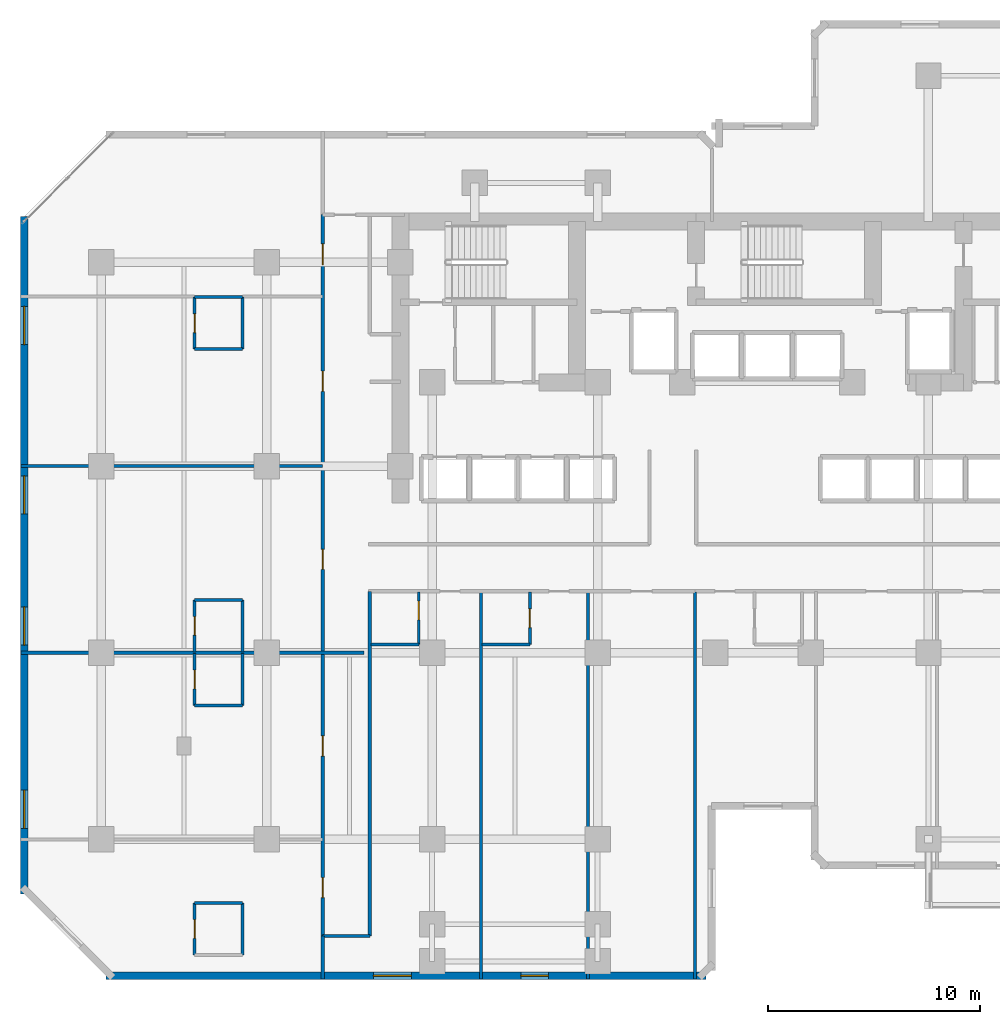
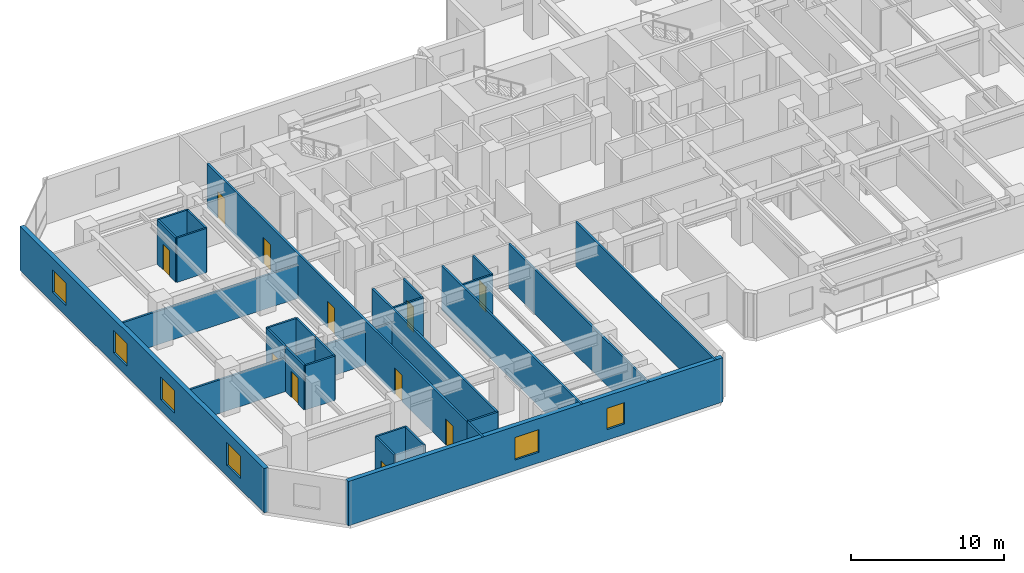
# One storey, part 5 of 12: 28 walls, 11 doors, 6 windows, 17 openings.
"""IFC4 building model written with IfcOpenShell, lengths in metres."""

from ifc_helpers import new_model, si_unit, direction, frame, frame_2d, origin, place, context, subcontext, project, spatial, rectangle, extrude, material, layer, layer_set, type_object, element, fill, save


model = new_model("IFC4")

# Units and contexts
model_context = context("Model", 3, precision=1e-05, world=origin(), true_north=direction((0.0, 1.0)))
body_context = subcontext(model_context, "Body", "Model", "MODEL_VIEW")
ifc_project = project(units=[si_unit("LENGTHUNIT", "METRE"), si_unit("AREAUNIT", "SQUARE_METRE"), si_unit("VOLUMEUNIT", "CUBIC_METRE"), si_unit("PLANEANGLEUNIT", "RADIAN"), si_unit("MASSUNIT", "GRAM", prefix="KILO")], contexts=[model_context])

# Site, building, storey
site_placement = place(None, origin())
site = spatial("IfcSite", under=ifc_project, at=site_placement, CompositionType="ELEMENT")
building_placement = place(site_placement, origin())
building = spatial("IfcBuilding", under=site, at=building_placement, Name="Kestravale Grand Hotel", CompositionType="ELEMENT")
storey_placement = place(building_placement, frame((0.0, 0.0, 122.199951171875)))
storey = spatial("IfcBuildingStorey", under=building, at=storey_placement, Name="L30", CompositionType="ELEMENT", Elevation=122.199951171875)

# Wall, openings, windows
ifc_material_1 = material(Name="Precast concrete f'c 45 MPa", Category="concrete")
ifc_layer_1 = layer(ifc_material_1, 0.340087890625)
ifc_layer_set_1 = layer_set([ifc_layer_1], Name="EW-PREC-340")
wall_type_1 = type_object("IfcWallType", Name="EW-PREC-340", PredefinedType="SOLIDWALL", material=ifc_layer_set_1)
wall_1_placement = place(storey_placement, frame((8.030029296875, 4.77001953125, 0.0), z_axis=(0.0, 0.0, 1.0), x_axis=(1.0, 0.0, 0.0)))
wall_1 = element("IfcWall", 1, at=wall_1_placement, inside=storey, type_object=wall_type_1, Name="L30 fluted precast facade wall 1", PredefinedType="SOLIDWALL", context=body_context, shape_type="SweptSolid", body=[
    extrude(rectangle(XDim=28.2900390625, YDim=0.340087890625, at=frame_2d((14.14501953125, 0.0))), origin(), (0.0, 0.0, 1.0), 3.5400390625),
])
opening_1_placement = place(wall_1_placement, frame((12.594970703125, 0.0, 0.85009765625)))
opening_1 = element("IfcOpeningElement", 2, at=opening_1_placement, cuts=wall_1, Name="Opening W-GUEST-1800", PredefinedType="OPENING", context=body_context, shape_type="SweptSolid", body=[
    extrude(rectangle(XDim=1.800048828125, YDim=1.800048828125, at=frame_2d((0.89990234375, 0.89990234375))), frame((0.0, 0.179931640625, 0.0), z_axis=(0.0, -1.0, 0.0), x_axis=(1.0, 0.0, 0.0)), (0.0, 0.0, 1.0), 0.360107421875),
])
opening_2_placement = place(wall_1_placement, frame((19.554931640625, 0.0, 0.85009765625)))
opening_2 = element("IfcOpeningElement", 3, at=opening_2_placement, cuts=wall_1, Name="Opening W-GUEST-1300", PredefinedType="OPENING", context=body_context, shape_type="SweptSolid", body=[
    extrude(rectangle(XDim=1.300048828125, YDim=1.699951171875, at=frame_2d((0.64990234375, 0.85009765625))), frame((0.0, 0.179931640625, 0.0), z_axis=(0.0, -1.0, 0.0), x_axis=(1.0, 0.0, 0.0)), (0.0, 0.0, 1.0), 0.360107421875),
])
ifc_material_2 = material(Name="Insulated low-E double glazing in aluminium frame", Category="aluminium")
window_type_1 = type_object("IfcWindowType", Name="W-GUEST-1300", PartitioningType="SINGLE_PANEL", PredefinedType="WINDOW", material=ifc_material_2)
window_1_placement = place(opening_2_placement, origin())
window_1 = element("IfcWindow", 4, at=window_1_placement, inside=storey, type_object=window_type_1, Name="L30 guestroom envelope window 1", OverallHeight=1.699951171875, OverallWidth=1.300048828125, PartitioningType="SINGLE_PANEL", PredefinedType="WINDOW", context=body_context, shape_type="SweptSolid", body=[
    extrude(rectangle(XDim=1.300048828125, YDim=1.699951171875, at=frame_2d((0.64990234375, 0.85009765625))), frame((0.0, 0.030029296875, 0.0), z_axis=(0.0, -1.0, 0.0), x_axis=(1.0, 0.0, 0.0)), (0.0, 0.0, 1.0), 0.06005859375),
])
fill(opening_2, window_1)
ifc_material_3 = material(Name="Insulated low-E double glazing in aluminium frame", Category="aluminium")
window_type_2 = type_object("IfcWindowType", Name="W-GUEST-1800", PartitioningType="DOUBLE_PANEL_VERTICAL", PredefinedType="WINDOW", material=ifc_material_3)
window_2_placement = place(opening_1_placement, origin())
window_2 = element("IfcWindow", 5, at=window_2_placement, inside=storey, type_object=window_type_2, Name="L30 exterior window 1.1", OverallHeight=1.800048828125, OverallWidth=1.800048828125, PartitioningType="SINGLE_PANEL", PredefinedType="WINDOW", context=body_context, shape_type="SweptSolid", body=[
    extrude(rectangle(XDim=1.800048828125, YDim=1.800048828125, at=frame_2d((0.89990234375, 0.89990234375))), frame((0.0, 0.030029296875, 0.0), z_axis=(0.0, -1.0, 0.0), x_axis=(1.0, 0.0, 0.0)), (0.0, 0.0, 1.0), 0.06005859375),
])
fill(opening_1, window_2)

wall_2_placement = place(storey_placement, frame((4.169921875, 40.570068359375, 0.0), z_axis=(0.0, 0.0, 1.0), x_axis=(0.0, -1.0, 0.0)))
wall_2 = element("IfcWall", 6, at=wall_2_placement, inside=storey, type_object=wall_type_1, Name="L30 fluted precast facade wall 19", PredefinedType="SOLIDWALL", context=body_context, shape_type="SweptSolid", body=[
    extrude(rectangle(XDim=31.940185546875, YDim=0.340087890625, at=frame_2d((15.97021484375, 0.0))), origin(), (0.0, 0.0, 1.0), 3.5400390625),
])
opening_3_placement = place(wall_2_placement, frame((4.242431640625, 0.0, 0.85009765625)))
opening_3 = element("IfcOpeningElement", 7, at=opening_3_placement, cuts=wall_2, Name="Opening W-GUEST-1800", PredefinedType="OPENING", context=body_context, shape_type="SweptSolid", body=[
    extrude(rectangle(XDim=1.800048828125, YDim=1.800048828125, at=frame_2d((0.89990234375, 0.89990234375))), frame((0.0, 0.179931640625, 0.0), z_axis=(0.0, -1.0, 0.0), x_axis=(1.0, 0.0, 0.0)), (0.0, 0.0, 1.0), 0.360107421875),
])
opening_4_placement = place(wall_2_placement, frame((12.2275390625, 0.0, 0.85009765625)))
opening_4 = element("IfcOpeningElement", 8, at=opening_4_placement, cuts=wall_2, Name="Opening W-GUEST-1800", PredefinedType="OPENING", context=body_context, shape_type="SweptSolid", body=[
    extrude(rectangle(XDim=1.800048828125, YDim=1.800048828125, at=frame_2d((0.89990234375, 0.89990234375))), frame((0.0, 0.179931640625, 0.0), z_axis=(0.0, -1.0, 0.0), x_axis=(1.0, 0.0, 0.0)), (0.0, 0.0, 1.0), 0.360107421875),
])
opening_5_placement = place(wall_2_placement, frame((18.41259765625, 0.0, 0.85009765625)))
opening_5 = element("IfcOpeningElement", 9, at=opening_5_placement, cuts=wall_2, Name="Opening W-GUEST-1800", PredefinedType="OPENING", context=body_context, shape_type="SweptSolid", body=[
    extrude(rectangle(XDim=1.800048828125, YDim=1.800048828125, at=frame_2d((0.89990234375, 0.89990234375))), frame((0.0, 0.179931640625, 0.0), z_axis=(0.0, -1.0, 0.0), x_axis=(1.0, 0.0, 0.0)), (0.0, 0.0, 1.0), 0.360107421875),
])
opening_6_placement = place(wall_2_placement, frame((27.047607421875, 0.0, 0.85009765625)))
opening_6 = element("IfcOpeningElement", 10, at=opening_6_placement, cuts=wall_2, Name="Opening W-GUEST-1800", PredefinedType="OPENING", context=body_context, shape_type="SweptSolid", body=[
    extrude(rectangle(XDim=1.800048828125, YDim=1.800048828125, at=frame_2d((0.89990234375, 0.89990234375))), frame((0.0, 0.179931640625, 0.0), z_axis=(0.0, -1.0, 0.0), x_axis=(1.0, 0.0, 0.0)), (0.0, 0.0, 1.0), 0.360107421875),
])
window_3_placement = place(opening_3_placement, origin())
window_3 = element("IfcWindow", 11, at=window_3_placement, inside=storey, type_object=window_type_2, Name="L30 exterior window 19.1", OverallHeight=1.800048828125, OverallWidth=1.800048828125, PartitioningType="SINGLE_PANEL", PredefinedType="WINDOW", context=body_context, shape_type="SweptSolid", body=[
    extrude(rectangle(XDim=1.800048828125, YDim=1.800048828125, at=frame_2d((0.89990234375, 0.89990234375))), frame((0.0, 0.030029296875, 0.0), z_axis=(0.0, -1.0, 0.0), x_axis=(1.0, 0.0, 0.0)), (0.0, 0.0, 1.0), 0.06005859375),
])
fill(opening_3, window_3)
window_4_placement = place(opening_4_placement, origin())
window_4 = element("IfcWindow", 12, at=window_4_placement, inside=storey, type_object=window_type_2, Name="L30 exterior window 19.2", OverallHeight=1.800048828125, OverallWidth=1.800048828125, PartitioningType="SINGLE_PANEL", PredefinedType="WINDOW", context=body_context, shape_type="SweptSolid", body=[
    extrude(rectangle(XDim=1.800048828125, YDim=1.800048828125, at=frame_2d((0.89990234375, 0.89990234375))), frame((0.0, 0.030029296875, 0.0), z_axis=(0.0, -1.0, 0.0), x_axis=(1.0, 0.0, 0.0)), (0.0, 0.0, 1.0), 0.06005859375),
])
fill(opening_4, window_4)
window_5_placement = place(opening_5_placement, origin())
window_5 = element("IfcWindow", 13, at=window_5_placement, inside=storey, type_object=window_type_2, Name="L30 exterior window 19.3", OverallHeight=1.800048828125, OverallWidth=1.800048828125, PartitioningType="SINGLE_PANEL", PredefinedType="WINDOW", context=body_context, shape_type="SweptSolid", body=[
    extrude(rectangle(XDim=1.800048828125, YDim=1.800048828125, at=frame_2d((0.89990234375, 0.89990234375))), frame((0.0, 0.030029296875, 0.0), z_axis=(0.0, -1.0, 0.0), x_axis=(1.0, 0.0, 0.0)), (0.0, 0.0, 1.0), 0.06005859375),
])
fill(opening_5, window_5)
window_6_placement = place(opening_6_placement, origin())
window_6 = element("IfcWindow", 14, at=window_6_placement, inside=storey, type_object=window_type_2, Name="L30 exterior window 19.4", OverallHeight=1.800048828125, OverallWidth=1.800048828125, PartitioningType="SINGLE_PANEL", PredefinedType="WINDOW", context=body_context, shape_type="SweptSolid", body=[
    extrude(rectangle(XDim=1.800048828125, YDim=1.800048828125, at=frame_2d((0.89990234375, 0.89990234375))), frame((0.0, 0.030029296875, 0.0), z_axis=(0.0, -1.0, 0.0), x_axis=(1.0, 0.0, 0.0)), (0.0, 0.0, 1.0), 0.06005859375),
])
fill(opening_6, window_6)

# Wall, openings, doors
ifc_material_4 = material(Name="Acoustic fire-rated gypsum board partition", Category="other")
ifc_layer_2 = layer(ifc_material_4, 0.159912109375)
ifc_layer_set_2 = layer_set([ifc_layer_2], Name="IW-CORR-160")
wall_type_2 = type_object("IfcWallType", Name="IW-CORR-160", PredefinedType="PARTITIONING", material=ifc_layer_set_2)
wall_3_placement = place(storey_placement, frame((18.239990234375, 6.64990234375, 0.0), z_axis=(0.0, 0.0, 1.0), x_axis=(0.0, 1.0, 0.0)))
wall_3 = element("IfcWall", 15, at=wall_3_placement, inside=storey, type_object=wall_type_2, Name="W-L30-SW-W", PredefinedType="PARTITIONING", context=body_context, shape_type="SweptSolid", body=[
    extrude(rectangle(XDim=34.0, YDim=0.159912109375, at=frame_2d((17.0, 0.0))), origin(), (0.0, 0.0, 1.0), 3.5400390625),
])
opening_7_placement = place(wall_3_placement, frame((1.800048828125, 0.0, 0.0)))
opening_7 = element("IfcOpeningElement", 16, at=opening_7_placement, cuts=wall_3, Name="Opening D-GUEST-950", PredefinedType="OPENING", context=body_context, shape_type="SweptSolid", body=[
    extrude(rectangle(XDim=0.949951171875, YDim=2.10009765625, at=frame_2d((0.47509765625, 1.050048828125))), frame((0.0, 0.08984375, 0.0), z_axis=(0.0, -1.0, 0.0), x_axis=(1.0, 0.0, 0.0)), (0.0, 0.0, 1.0), 0.179931640625),
])
opening_8_placement = place(wall_3_placement, frame((8.47509765625, 0.0, 0.0)))
opening_8 = element("IfcOpeningElement", 17, at=opening_8_placement, cuts=wall_3, Name="Opening D-GUEST-950", PredefinedType="OPENING", context=body_context, shape_type="SweptSolid", body=[
    extrude(rectangle(XDim=0.949951171875, YDim=2.10009765625, at=frame_2d((0.47509765625, 1.050048828125))), frame((0.0, 0.08984375, 0.0), z_axis=(0.0, -1.0, 0.0), x_axis=(1.0, 0.0, 0.0)), (0.0, 0.0, 1.0), 0.179931640625),
])
opening_9_placement = place(wall_3_placement, frame((17.27490234375, 0.0, 0.0)))
opening_9 = element("IfcOpeningElement", 18, at=opening_9_placement, cuts=wall_3, Name="Opening D-GUEST-950", PredefinedType="OPENING", context=body_context, shape_type="SweptSolid", body=[
    extrude(rectangle(XDim=0.949951171875, YDim=2.10009765625, at=frame_2d((0.47509765625, 1.050048828125))), frame((0.0, 0.08984375, 0.0), z_axis=(0.0, -1.0, 0.0), x_axis=(1.0, 0.0, 0.0)), (0.0, 0.0, 1.0), 0.179931640625),
])
opening_10_placement = place(wall_3_placement, frame((25.675048828125, 0.0, 0.0)))
opening_10 = element("IfcOpeningElement", 19, at=opening_10_placement, cuts=wall_3, Name="Opening D-GUEST-950", PredefinedType="OPENING", context=body_context, shape_type="SweptSolid", body=[
    extrude(rectangle(XDim=0.949951171875, YDim=2.10009765625, at=frame_2d((0.47509765625, 1.050048828125))), frame((0.0, 0.08984375, 0.0), z_axis=(0.0, -1.0, 0.0), x_axis=(1.0, 0.0, 0.0)), (0.0, 0.0, 1.0), 0.179931640625),
])
opening_11_placement = place(wall_3_placement, frame((31.6298828125, 0.0, 0.0)))
opening_11 = element("IfcOpeningElement", 20, at=opening_11_placement, cuts=wall_3, Name="Opening D-GUEST-1000", PredefinedType="OPENING", context=body_context, shape_type="SweptSolid", body=[
    extrude(rectangle(XDim=1.0, YDim=2.14990234375, at=frame_2d((0.5, 1.074951171875))), frame((0.0, 0.08984375, 0.0), z_axis=(0.0, -1.0, 0.0), x_axis=(1.0, 0.0, 0.0)), (0.0, 0.0, 1.0), 0.179931640625),
])
ifc_material_5 = material(Name="Accessible walnut veneer hotel entrance fire door", Category="wood")
door_type_1 = type_object("IfcDoorType", Name="D-GUEST-1000", OperationType="NOTDEFINED", PredefinedType="DOOR", material=ifc_material_5)
door_1_placement = place(opening_11_placement, origin())
door_1 = element("IfcDoor", 21, at=door_1_placement, inside=storey, type_object=door_type_1, Name="D-L30-AMWW", OperationType="SINGLE_SWING_LEFT", OverallHeight=2.14990234375, OverallWidth=1.0, PredefinedType="DOOR", context=body_context, shape_type="SweptSolid", body=[
    extrude(rectangle(XDim=1.0, YDim=2.14990234375, at=frame_2d((0.5, 1.074951171875))), frame((0.0, 0.02490234375, 0.0), z_axis=(0.0, -1.0, 0.0), x_axis=(1.0, 0.0, 0.0)), (0.0, 0.0, 1.0), 0.050048828125),
])
fill(opening_11, door_1)
ifc_material_6 = material(Name="Walnut veneer hotel guestroom entrance fire door", Category="wood")
door_type_2 = type_object("IfcDoorType", Name="D-GUEST-950", OperationType="NOTDEFINED", PredefinedType="DOOR", material=ifc_material_6)
door_2_placement = place(opening_7_placement, origin())
door_2 = element("IfcDoor", 22, at=door_2_placement, inside=storey, type_object=door_type_2, Name="D-L30-U06-ENT", OperationType="SINGLE_SWING_RIGHT", OverallHeight=2.10009765625, OverallWidth=0.949951171875, PredefinedType="DOOR", context=body_context, shape_type="SweptSolid", body=[
    extrude(rectangle(XDim=0.949951171875, YDim=2.10009765625, at=frame_2d((0.47509765625, 1.050048828125))), frame((0.0, 0.02490234375, 0.0), z_axis=(0.0, -1.0, 0.0), x_axis=(1.0, 0.0, 0.0)), (0.0, 0.0, 1.0), 0.050048828125),
])
fill(opening_7, door_2)
door_3_placement = place(opening_8_placement, origin())
door_3 = element("IfcDoor", 23, at=door_3_placement, inside=storey, type_object=door_type_2, Name="D-L30-U07-ENT", OperationType="SINGLE_SWING_RIGHT", OverallHeight=2.10009765625, OverallWidth=0.949951171875, PredefinedType="DOOR", context=body_context, shape_type="SweptSolid", body=[
    extrude(rectangle(XDim=0.949951171875, YDim=2.10009765625, at=frame_2d((0.47509765625, 1.050048828125))), frame((0.0, 0.02490234375, 0.0), z_axis=(0.0, -1.0, 0.0), x_axis=(1.0, 0.0, 0.0)), (0.0, 0.0, 1.0), 0.050048828125),
])
fill(opening_8, door_3)
door_4_placement = place(opening_9_placement, origin())
door_4 = element("IfcDoor", 24, at=door_4_placement, inside=storey, type_object=door_type_2, Name="D-L30-U08-ENT", OperationType="SINGLE_SWING_RIGHT", OverallHeight=2.10009765625, OverallWidth=0.949951171875, PredefinedType="DOOR", context=body_context, shape_type="SweptSolid", body=[
    extrude(rectangle(XDim=0.949951171875, YDim=2.10009765625, at=frame_2d((0.47509765625, 1.050048828125))), frame((0.0, 0.02490234375, 0.0), z_axis=(0.0, -1.0, 0.0), x_axis=(1.0, 0.0, 0.0)), (0.0, 0.0, 1.0), 0.050048828125),
])
fill(opening_9, door_4)
door_5_placement = place(opening_10_placement, origin())
door_5 = element("IfcDoor", 25, at=door_5_placement, inside=storey, type_object=door_type_2, Name="D-L30-U09-ENT", OperationType="SINGLE_SWING_RIGHT", OverallHeight=2.10009765625, OverallWidth=0.949951171875, PredefinedType="DOOR", context=body_context, shape_type="SweptSolid", body=[
    extrude(rectangle(XDim=0.949951171875, YDim=2.10009765625, at=frame_2d((0.47509765625, 1.050048828125))), frame((0.0, 0.02490234375, 0.0), z_axis=(0.0, -1.0, 0.0), x_axis=(1.0, 0.0, 0.0)), (0.0, 0.0, 1.0), 0.050048828125),
])
fill(opening_10, door_5)

# Wall
wall_4_placement = place(storey_placement, frame((20.4599609375, 6.64990234375, 0.0), z_axis=(0.0, 0.0, 1.0), x_axis=(0.0, 1.0, 0.0)))
element("IfcWall", 26, at=wall_4_placement, inside=storey, type_object=wall_type_2, Name="W-L30-SW-E", PredefinedType="PARTITIONING", context=body_context, shape_type="SweptSolid", body=[
    extrude(rectangle(XDim=16.239990234375, YDim=0.159912109375, at=frame_2d((8.1201171875, 0.0))), origin(), (0.0, 0.0, 1.0), 3.5400390625),
])

# Wall, opening, door
ifc_material_7 = material(Name="Moisture-resistant tile-backer plumbing chase wall", Category="other")
ifc_layer_3 = layer(ifc_material_7, 0.139892578125)
ifc_layer_set_3 = layer_set([ifc_layer_3], Name="IW-PLB-140")
wall_type_3 = type_object("IfcWallType", Name="IW-PLB-140", PredefinedType="PLUMBINGWALL", material=ifc_layer_set_3)
wall_5_placement = place(storey_placement, frame((22.77001953125, 20.3798828125, 0.0), z_axis=(0.0, 0.0, 1.0), x_axis=(0.0, 1.0, 0.0)))
wall_5 = element("IfcWall", 27, at=wall_5_placement, inside=storey, type_object=wall_type_3, Name="W-L30-U01-BE", PredefinedType="PLUMBINGWALL", context=body_context, shape_type="SweptSolid", body=[
    extrude(rectangle(XDim=2.490234375, YDim=0.139892578125, at=frame_2d((1.2451171875, 0.0))), origin(), (0.0, 0.0, 1.0), 3.5400390625),
])
opening_12_placement = place(wall_5_placement, frame((1.169921875, 0.0, 0.0)))
opening_12 = element("IfcOpeningElement", 28, at=opening_12_placement, cuts=wall_5, Name="Opening D-BATH-880", PredefinedType="OPENING", context=body_context, shape_type="SweptSolid", body=[
    extrude(rectangle(XDim=0.8798828125, YDim=2.050048828125, at=frame_2d((0.43994140625, 1.02490234375))), frame((0.0, 0.079833984375, 0.0), z_axis=(0.0, -1.0, 0.0), x_axis=(1.0, 0.0, 0.0)), (0.0, 0.0, 1.0), 0.159912109375),
])
ifc_material_8 = material(Name="Moisture-sealed walnut en-suite bathroom door", Category="wood")
door_type_3 = type_object("IfcDoorType", Name="D-BATH-880", OperationType="NOTDEFINED", PredefinedType="DOOR", material=ifc_material_8)
door_6_placement = place(opening_12_placement, origin())
door_6 = element("IfcDoor", 29, at=door_6_placement, inside=storey, type_object=door_type_3, Name="D-L30-U01-BATH", OperationType="SINGLE_SWING_LEFT", OverallHeight=2.050048828125, OverallWidth=0.8798828125, PredefinedType="DOOR", context=body_context, shape_type="SweptSolid", body=[
    extrude(rectangle(XDim=0.8798828125, YDim=2.050048828125, at=frame_2d((0.43994140625, 1.02490234375))), frame((0.0, 0.02490234375, 0.0), z_axis=(0.0, -1.0, 0.0), x_axis=(1.0, 0.0, 0.0)), (0.0, 0.0, 1.0), 0.050048828125),
])
fill(opening_12, door_6)

# Wall
wall_6_placement = place(storey_placement, frame((20.52001953125, 20.3798828125, 0.0), z_axis=(0.0, 0.0, 1.0), x_axis=(1.0, 0.0, 0.0)))
element("IfcWall", 30, at=wall_6_placement, inside=storey, type_object=wall_type_3, Name="W-L30-U01-BS", PredefinedType="PLUMBINGWALL", context=body_context, shape_type="SweptSolid", body=[
    extrude(rectangle(XDim=2.25, YDim=0.139892578125, at=frame_2d((1.125, 0.0))), origin(), (0.0, 0.0, 1.0), 3.5400390625),
])

# Wall, opening, door
wall_7_placement = place(storey_placement, frame((28.010009765625, 20.3798828125, 0.0), z_axis=(0.0, 0.0, 1.0), x_axis=(0.0, 1.0, 0.0)))
wall_7 = element("IfcWall", 31, at=wall_7_placement, inside=storey, type_object=wall_type_3, Name="W-L30-U02-BE", PredefinedType="PLUMBINGWALL", context=body_context, shape_type="SweptSolid", body=[
    extrude(rectangle(XDim=2.490234375, YDim=0.139892578125, at=frame_2d((1.2451171875, 0.0))), origin(), (0.0, 0.0, 1.0), 3.5400390625),
])
opening_13_placement = place(wall_7_placement, frame((0.804931640625, 0.0, 0.0)))
opening_13 = element("IfcOpeningElement", 32, at=opening_13_placement, cuts=wall_7, Name="Opening D-BATH-880", PredefinedType="OPENING", context=body_context, shape_type="SweptSolid", body=[
    extrude(rectangle(XDim=0.8798828125, YDim=2.050048828125, at=frame_2d((0.43994140625, 1.02490234375))), frame((0.0, 0.079833984375, 0.0), z_axis=(0.0, -1.0, 0.0), x_axis=(1.0, 0.0, 0.0)), (0.0, 0.0, 1.0), 0.159912109375),
])
door_7_placement = place(opening_13_placement, origin())
door_7 = element("IfcDoor", 33, at=door_7_placement, inside=storey, type_object=door_type_3, Name="D-L30-U02-BATH", OperationType="SINGLE_SWING_LEFT", OverallHeight=2.050048828125, OverallWidth=0.8798828125, PredefinedType="DOOR", context=body_context, shape_type="SweptSolid", body=[
    extrude(rectangle(XDim=0.8798828125, YDim=2.050048828125, at=frame_2d((0.43994140625, 1.02490234375))), frame((0.0, 0.02490234375, 0.0), z_axis=(0.0, -1.0, 0.0), x_axis=(1.0, 0.0, 0.0)), (0.0, 0.0, 1.0), 0.050048828125),
])
fill(opening_13, door_7)

# Wall
wall_8_placement = place(storey_placement, frame((25.760009765625, 20.3798828125, 0.0), z_axis=(0.0, 0.0, 1.0), x_axis=(1.0, 0.0, 0.0)))
element("IfcWall", 34, at=wall_8_placement, inside=storey, type_object=wall_type_3, Name="W-L30-U02-BS", PredefinedType="PLUMBINGWALL", context=body_context, shape_type="SweptSolid", body=[
    extrude(rectangle(XDim=2.25, YDim=0.139892578125, at=frame_2d((1.125, 0.0))), origin(), (0.0, 0.0, 1.0), 3.5400390625),
])

# Wall, opening, door
wall_9_placement = place(storey_placement, frame((12.199951171875, 5.75, 0.0), z_axis=(0.0, 0.0, 1.0), x_axis=(0.0, 1.0, 0.0)))
wall_9 = element("IfcWall", 35, at=wall_9_placement, inside=storey, type_object=wall_type_3, Name="W-L30-U06-BW", PredefinedType="PLUMBINGWALL", context=body_context, shape_type="SweptSolid", body=[
    extrude(rectangle(XDim=2.449951171875, YDim=0.139892578125, at=frame_2d((1.22509765625, 0.0))), origin(), (0.0, 0.0, 1.0), 3.5400390625),
])
opening_14_placement = place(wall_9_placement, frame((0.784912109375, 0.0, 0.0)))
opening_14 = element("IfcOpeningElement", 36, at=opening_14_placement, cuts=wall_9, Name="Opening D-BATH-880", PredefinedType="OPENING", context=body_context, shape_type="SweptSolid", body=[
    extrude(rectangle(XDim=0.8798828125, YDim=2.050048828125, at=frame_2d((0.43994140625, 1.02490234375))), frame((0.0, 0.079833984375, 0.0), z_axis=(0.0, -1.0, 0.0), x_axis=(1.0, 0.0, 0.0)), (0.0, 0.0, 1.0), 0.159912109375),
])
door_8_placement = place(opening_14_placement, origin())
door_8 = element("IfcDoor", 37, at=door_8_placement, inside=storey, type_object=door_type_3, Name="D-L30-U06-BATH", OperationType="SINGLE_SWING_LEFT", OverallHeight=2.050048828125, OverallWidth=0.8798828125, PredefinedType="DOOR", context=body_context, shape_type="SweptSolid", body=[
    extrude(rectangle(XDim=0.8798828125, YDim=2.050048828125, at=frame_2d((0.43994140625, 1.02490234375))), frame((0.0, 0.02490234375, 0.0), z_axis=(0.0, -1.0, 0.0), x_axis=(1.0, 0.0, 0.0)), (0.0, 0.0, 1.0), 0.050048828125),
])
fill(opening_14, door_8)

# Walls
wall_10_placement = place(storey_placement, frame((14.449951171875, 5.75, 0.0), z_axis=(0.0, 0.0, 1.0), x_axis=(0.0, 1.0, 0.0)))
element("IfcWall", 38, at=wall_10_placement, inside=storey, type_object=wall_type_3, Name="W-L30-U06-BE", PredefinedType="PLUMBINGWALL", context=body_context, shape_type="SweptSolid", body=[
    extrude(rectangle(XDim=2.449951171875, YDim=0.139892578125, at=frame_2d((1.22509765625, 0.0))), origin(), (0.0, 0.0, 1.0), 3.5400390625),
])
wall_11_placement = place(storey_placement, frame((12.199951171875, 8.199951171875, 0.0), z_axis=(0.0, 0.0, 1.0), x_axis=(1.0, 0.0, 0.0)))
element("IfcWall", 39, at=wall_11_placement, inside=storey, type_object=wall_type_3, Name="W-L30-U06-BN", PredefinedType="PLUMBINGWALL", context=body_context, shape_type="SweptSolid", body=[
    extrude(rectangle(XDim=2.25, YDim=0.139892578125, at=frame_2d((1.125, 0.0))), origin(), (0.0, 0.0, 1.0), 3.5400390625),
])

# Wall, opening, door
wall_12_placement = place(storey_placement, frame((12.199951171875, 17.510009765625, 0.0), z_axis=(0.0, 0.0, 1.0), x_axis=(0.0, 1.0, 0.0)))
wall_12 = element("IfcWall", 40, at=wall_12_placement, inside=storey, type_object=wall_type_3, Name="W-L30-U07-BW", PredefinedType="PLUMBINGWALL", context=body_context, shape_type="SweptSolid", body=[
    extrude(rectangle(XDim=2.449951171875, YDim=0.139892578125, at=frame_2d((1.22509765625, 0.0))), origin(), (0.0, 0.0, 1.0), 3.5400390625),
])
opening_15_placement = place(wall_12_placement, frame((0.784912109375, 0.0, 0.0)))
opening_15 = element("IfcOpeningElement", 41, at=opening_15_placement, cuts=wall_12, Name="Opening D-BATH-880", PredefinedType="OPENING", context=body_context, shape_type="SweptSolid", body=[
    extrude(rectangle(XDim=0.8798828125, YDim=2.050048828125, at=frame_2d((0.43994140625, 1.02490234375))), frame((0.0, 0.079833984375, 0.0), z_axis=(0.0, -1.0, 0.0), x_axis=(1.0, 0.0, 0.0)), (0.0, 0.0, 1.0), 0.159912109375),
])
door_9_placement = place(opening_15_placement, origin())
door_9 = element("IfcDoor", 42, at=door_9_placement, inside=storey, type_object=door_type_3, Name="D-L30-U07-BATH", OperationType="SINGLE_SWING_LEFT", OverallHeight=2.050048828125, OverallWidth=0.8798828125, PredefinedType="DOOR", context=body_context, shape_type="SweptSolid", body=[
    extrude(rectangle(XDim=0.8798828125, YDim=2.050048828125, at=frame_2d((0.43994140625, 1.02490234375))), frame((0.0, 0.02490234375, 0.0), z_axis=(0.0, -1.0, 0.0), x_axis=(1.0, 0.0, 0.0)), (0.0, 0.0, 1.0), 0.050048828125),
])
fill(opening_15, door_9)

# Walls
wall_13_placement = place(storey_placement, frame((14.449951171875, 17.510009765625, 0.0), z_axis=(0.0, 0.0, 1.0), x_axis=(0.0, 1.0, 0.0)))
element("IfcWall", 43, at=wall_13_placement, inside=storey, type_object=wall_type_3, Name="W-L30-U07-BE", PredefinedType="PLUMBINGWALL", context=body_context, shape_type="SweptSolid", body=[
    extrude(rectangle(XDim=2.449951171875, YDim=0.139892578125, at=frame_2d((1.22509765625, 0.0))), origin(), (0.0, 0.0, 1.0), 3.5400390625),
])
wall_14_placement = place(storey_placement, frame((12.199951171875, 17.510009765625, 0.0), z_axis=(0.0, 0.0, 1.0), x_axis=(1.0, 0.0, 0.0)))
element("IfcWall", 44, at=wall_14_placement, inside=storey, type_object=wall_type_3, Name="W-L30-U07-BS", PredefinedType="PLUMBINGWALL", context=body_context, shape_type="SweptSolid", body=[
    extrude(rectangle(XDim=2.25, YDim=0.139892578125, at=frame_2d((1.125, 0.0))), origin(), (0.0, 0.0, 1.0), 3.5400390625),
])

# Wall, opening, door
wall_15_placement = place(storey_placement, frame((12.199951171875, 20.0400390625, 0.0), z_axis=(0.0, 0.0, 1.0), x_axis=(0.0, 1.0, 0.0)))
wall_15 = element("IfcWall", 45, at=wall_15_placement, inside=storey, type_object=wall_type_3, Name="W-L30-U08-BW", PredefinedType="PLUMBINGWALL", context=body_context, shape_type="SweptSolid", body=[
    extrude(rectangle(XDim=2.449951171875, YDim=0.139892578125, at=frame_2d((1.22509765625, 0.0))), origin(), (0.0, 0.0, 1.0), 3.5400390625),
])
opening_16_placement = place(wall_15_placement, frame((0.784912109375, 0.0, 0.0)))
opening_16 = element("IfcOpeningElement", 46, at=opening_16_placement, cuts=wall_15, Name="Opening D-BATH-880", PredefinedType="OPENING", context=body_context, shape_type="SweptSolid", body=[
    extrude(rectangle(XDim=0.8798828125, YDim=2.050048828125, at=frame_2d((0.43994140625, 1.02490234375))), frame((0.0, 0.079833984375, 0.0), z_axis=(0.0, -1.0, 0.0), x_axis=(1.0, 0.0, 0.0)), (0.0, 0.0, 1.0), 0.159912109375),
])
door_10_placement = place(opening_16_placement, origin())
door_10 = element("IfcDoor", 47, at=door_10_placement, inside=storey, type_object=door_type_3, Name="D-L30-U08-BATH", OperationType="SINGLE_SWING_LEFT", OverallHeight=2.050048828125, OverallWidth=0.8798828125, PredefinedType="DOOR", context=body_context, shape_type="SweptSolid", body=[
    extrude(rectangle(XDim=0.8798828125, YDim=2.050048828125, at=frame_2d((0.43994140625, 1.02490234375))), frame((0.0, 0.02490234375, 0.0), z_axis=(0.0, -1.0, 0.0), x_axis=(1.0, 0.0, 0.0)), (0.0, 0.0, 1.0), 0.050048828125),
])
fill(opening_16, door_10)

# Walls
wall_16_placement = place(storey_placement, frame((14.449951171875, 20.0400390625, 0.0), z_axis=(0.0, 0.0, 1.0), x_axis=(0.0, 1.0, 0.0)))
element("IfcWall", 48, at=wall_16_placement, inside=storey, type_object=wall_type_3, Name="W-L30-U08-BE", PredefinedType="PLUMBINGWALL", context=body_context, shape_type="SweptSolid", body=[
    extrude(rectangle(XDim=2.449951171875, YDim=0.139892578125, at=frame_2d((1.22509765625, 0.0))), origin(), (0.0, 0.0, 1.0), 3.5400390625),
])
wall_17_placement = place(storey_placement, frame((12.199951171875, 22.489990234375, 0.0), z_axis=(0.0, 0.0, 1.0), x_axis=(1.0, 0.0, 0.0)))
element("IfcWall", 49, at=wall_17_placement, inside=storey, type_object=wall_type_3, Name="W-L30-U08-BN", PredefinedType="PLUMBINGWALL", context=body_context, shape_type="SweptSolid", body=[
    extrude(rectangle(XDim=2.25, YDim=0.139892578125, at=frame_2d((1.125, 0.0))), origin(), (0.0, 0.0, 1.0), 3.5400390625),
])

# Wall, opening, door
wall_18_placement = place(storey_placement, frame((12.199951171875, 34.31005859375, 0.0), z_axis=(0.0, 0.0, 1.0), x_axis=(0.0, 1.0, 0.0)))
wall_18 = element("IfcWall", 50, at=wall_18_placement, inside=storey, type_object=wall_type_3, Name="W-L30-U09-BW", PredefinedType="PLUMBINGWALL", context=body_context, shape_type="SweptSolid", body=[
    extrude(rectangle(XDim=2.449951171875, YDim=0.139892578125, at=frame_2d((1.22509765625, 0.0))), origin(), (0.0, 0.0, 1.0), 3.5400390625),
])
opening_17_placement = place(wall_18_placement, frame((0.784912109375, 0.0, 0.0)))
opening_17 = element("IfcOpeningElement", 51, at=opening_17_placement, cuts=wall_18, Name="Opening D-BATH-880", PredefinedType="OPENING", context=body_context, shape_type="SweptSolid", body=[
    extrude(rectangle(XDim=0.8798828125, YDim=2.050048828125, at=frame_2d((0.43994140625, 1.02490234375))), frame((0.0, 0.079833984375, 0.0), z_axis=(0.0, -1.0, 0.0), x_axis=(1.0, 0.0, 0.0)), (0.0, 0.0, 1.0), 0.159912109375),
])
door_11_placement = place(opening_17_placement, origin())
door_11 = element("IfcDoor", 52, at=door_11_placement, inside=storey, type_object=door_type_3, Name="D-L30-U09-BATH", OperationType="SINGLE_SWING_LEFT", OverallHeight=2.050048828125, OverallWidth=0.8798828125, PredefinedType="DOOR", context=body_context, shape_type="SweptSolid", body=[
    extrude(rectangle(XDim=0.8798828125, YDim=2.050048828125, at=frame_2d((0.43994140625, 1.02490234375))), frame((0.0, 0.02490234375, 0.0), z_axis=(0.0, -1.0, 0.0), x_axis=(1.0, 0.0, 0.0)), (0.0, 0.0, 1.0), 0.050048828125),
])
fill(opening_17, door_11)

# Walls
wall_19_placement = place(storey_placement, frame((14.449951171875, 34.31005859375, 0.0), z_axis=(0.0, 0.0, 1.0), x_axis=(0.0, 1.0, 0.0)))
element("IfcWall", 53, at=wall_19_placement, inside=storey, type_object=wall_type_3, Name="W-L30-U09-BE", PredefinedType="PLUMBINGWALL", context=body_context, shape_type="SweptSolid", body=[
    extrude(rectangle(XDim=2.449951171875, YDim=0.139892578125, at=frame_2d((1.22509765625, 0.0))), origin(), (0.0, 0.0, 1.0), 3.5400390625),
])
for number, where, z_axis, x_axis, name in (
    (54, (12.199951171875, 34.31005859375, 0.0), (0.0, 0.0, 1.0), (1.0, 0.0, 0.0), "W-L30-U09-BS"),
    (55, (12.199951171875, 36.760009765625, 0.0), (0.0, 0.0, 1.0), (1.0, 0.0, 0.0), "W-L30-U09-BN"),
):
    element("IfcWall", number, at=place(storey_placement, frame(where, z_axis=z_axis, x_axis=x_axis)), inside=storey, type_object=wall_type_3, Name=name, PredefinedType="PLUMBINGWALL", context=body_context, shape_type="SweptSolid", body=[
        extrude(rectangle(XDim=2.25, YDim=0.139892578125, at=frame_2d((1.125, 0.0))), origin(), (0.0, 0.0, 1.0), 3.5400390625),
    ])
ifc_material_9 = material(Name="Double-stud STC 52 acoustic demising partition", Category="other")
ifc_layer_4 = layer(ifc_material_9, 0.14990234375)
ifc_layer_set_4 = layer_set([ifc_layer_4], Name="IW-UNIT-150")
wall_type_4 = type_object("IfcWallType", Name="IW-UNIT-150", PredefinedType="PARTITIONING", material=ifc_layer_set_4)
wall_20_placement = place(storey_placement, frame((18.239990234375, 6.64990234375, 0.0), z_axis=(0.0, 0.0, 1.0), x_axis=(1.0, 0.0, 0.0)))
element("IfcWall", 56, at=wall_20_placement, inside=storey, type_object=wall_type_4, Name="W-L30-SW-S", PredefinedType="PARTITIONING", context=body_context, shape_type="SweptSolid", body=[
    extrude(rectangle(XDim=2.219970703125, YDim=0.14990234375, at=frame_2d((1.10986328125, 0.0))), origin(), (0.0, 0.0, 1.0), 3.5400390625),
])
for number, where, z_axis, x_axis, name in (
    (57, (25.699951171875, 4.6201171875, 0.0), (0.0, 0.0, 1.0), (0.0, 1.0, 0.0), "W-L30-WS-1"),
    (58, (30.75, 4.6201171875, 0.0), (0.0, 0.0, 1.0), (0.0, 1.0, 0.0), "W-L30-WS-2"),
):
    element("IfcWall", number, at=place(storey_placement, frame(where, z_axis=z_axis, x_axis=x_axis)), inside=storey, type_object=wall_type_4, Name=name, PredefinedType="PARTITIONING", context=body_context, shape_type="SweptSolid", body=[
        extrude(rectangle(XDim=18.269775390625, YDim=0.14990234375, at=frame_2d((9.134765625, 0.0))), origin(), (0.0, 0.0, 1.0), 3.5400390625),
    ])
wall_21_placement = place(storey_placement, frame((35.800048828125, 4.6201171875, 0.0), z_axis=(0.0, 0.0, 1.0), x_axis=(0.0, 1.0, 0.0)))
element("IfcWall", 59, at=wall_21_placement, inside=storey, type_object=wall_type_4, Name="W-L30-MID-S", PredefinedType="PARTITIONING", context=body_context, shape_type="SweptSolid", body=[
    extrude(rectangle(XDim=18.25, YDim=0.14990234375, at=frame_2d((9.125, 0.0))), origin(), (0.0, 0.0, 1.0), 3.5400390625),
])
wall_22_placement = place(storey_placement, frame((18.239990234375, 4.6201171875, 0.0), z_axis=(0.0, 0.0, 1.0), x_axis=(0.0, 1.0, 0.0)))
element("IfcWall", 60, at=wall_22_placement, inside=storey, type_object=wall_type_4, Name="W-L30-SW-EXT", PredefinedType="PARTITIONING", context=body_context, shape_type="SweptSolid", body=[
    extrude(rectangle(XDim=2.02978515625, YDim=0.14990234375, at=frame_2d((1.014892578125, 0.0))), origin(), (0.0, 0.0, 1.0), 3.5400390625),
])
wall_23_placement = place(storey_placement, frame((4.02001953125, 20.0, 0.0), z_axis=(0.0, 0.0, 1.0), x_axis=(1.0, 0.0, 0.0)))
element("IfcWall", 61, at=wall_23_placement, inside=storey, type_object=wall_type_4, Name="W-L30-ASPL-7", PredefinedType="PARTITIONING", context=body_context, shape_type="SweptSolid", body=[
    extrude(rectangle(XDim=16.169921875, YDim=0.14990234375, at=frame_2d((8.0849609375, 0.0))), origin(), (0.0, 0.0, 1.0), 2.678955078125),
])
wall_24_placement = place(storey_placement, frame((4.02001953125, 28.800048828125, 0.0), z_axis=(0.0, 0.0, 1.0), x_axis=(1.0, 0.0, 0.0)))
element("IfcWall", 62, at=wall_24_placement, inside=storey, type_object=wall_type_4, Name="W-L30-WW-2", PredefinedType="PARTITIONING", context=body_context, shape_type="SweptSolid", body=[
    extrude(rectangle(XDim=14.219970703125, YDim=0.14990234375, at=frame_2d((7.10986328125, 0.0))), origin(), (0.0, 0.0, 1.0), 2.678955078125),
])

save(model, "model.ifc")
